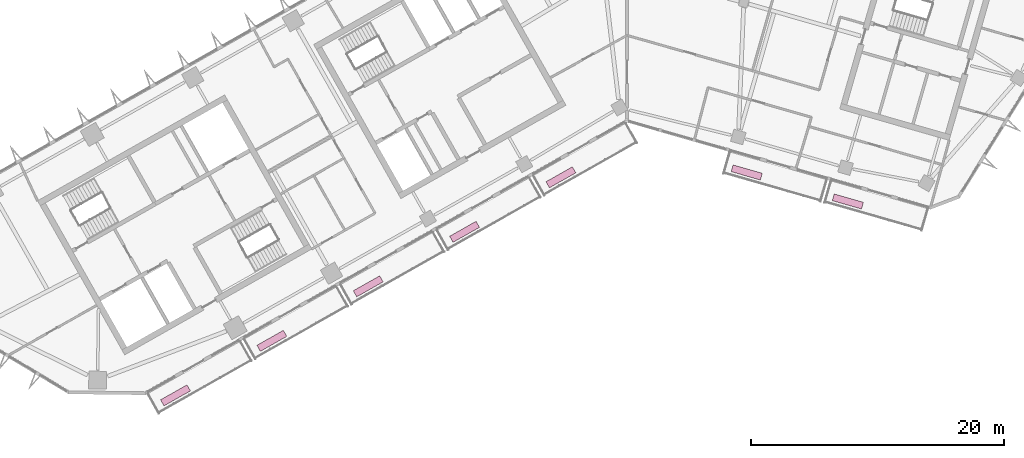
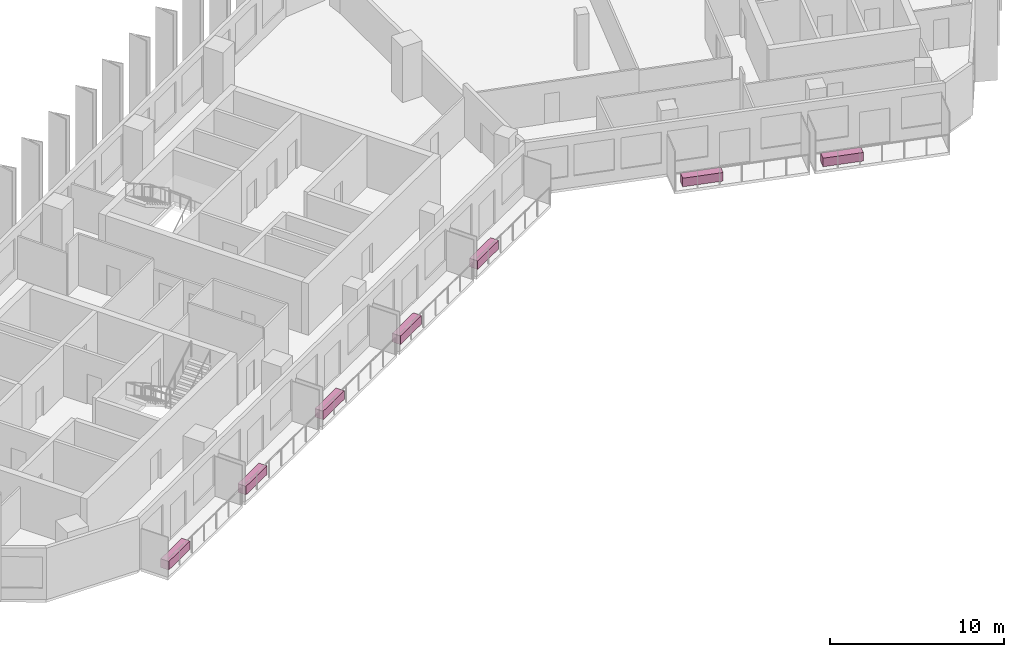
# One storey, part 11 of 11: 7 furnishings.
"""IFC4 building model written with IfcOpenShell, lengths in metres."""

from ifc_helpers import new_model, si_unit, direction, frame, origin, origin_2d, place, context, subcontext, project, spatial, rectangle, extrude, material, type_object, element, save


model = new_model("IFC4")

# Units and contexts
model_context = context("Model", 3, precision=1e-05, world=origin(), true_north=direction((0.0, 1.0)))
body_context = subcontext(model_context, "Body", "Model", "MODEL_VIEW")
ifc_project = project(units=[si_unit("LENGTHUNIT", "METRE"), si_unit("AREAUNIT", "SQUARE_METRE"), si_unit("VOLUMEUNIT", "CUBIC_METRE"), si_unit("PLANEANGLEUNIT", "RADIAN"), si_unit("MASSUNIT", "GRAM", prefix="KILO")], contexts=[model_context])

# Site, building, storey
site_placement = place(None, origin())
site = spatial("IfcSite", under=ifc_project, at=site_placement, CompositionType="ELEMENT")
building_placement = place(site_placement, origin())
building = spatial("IfcBuilding", under=site, at=building_placement, Name="Binnacle Exchange Tower", CompositionType="ELEMENT")
storey_placement = place(building_placement, frame((0.0, 0.0, 207.5)))
storey = spatial("IfcBuildingStorey", under=building, at=storey_placement, Name="L45", CompositionType="ELEMENT", Elevation=207.5)

# Furnishings
ifc_material = material(Name="Concrete C35/45", Category="concrete")
furnishing_element_type = type_object("IfcFurnishingElementType", Name="PLANTER 2400x550x600", material=ifc_material)
for number, where, z_axis, x_axis, name in (
    (1, (-35.698486328125, 26.2861328125, 0.0), (0.0, 0.0, 1.0), (0.87035569594, 0.492423560103, 0.0), "Planter G01-B00a L45"),
    (2, (-28.078857421875, 30.59716796875, 0.0), (0.0, 0.0, 1.0), (0.87035569594, 0.492423560103, 0.0), "Planter G01-B01a L45"),
    (3, (-20.459228515625, 34.908203125, 0.0), (0.0, 0.0, 1.0), (0.87035569594, 0.492423560103, 0.0), "Planter G01-B02a L45"),
    (4, (-12.839599609375, 39.218994140625, 0.0), (0.0, 0.0, 1.0), (0.87035569594, 0.492423560103, 0.0), "Planter G01-B03a L45"),
    (5, (-5.22021484375, 43.530029296875, 0.0), (0.0, 0.0, 1.0), (0.87035569594, 0.492423560103, 0.0), "Planter G01-B04a L45"),
    (6, (9.474609375, 43.909912109375, 0.0), (0.0, 0.0, 1.0), (0.961261695938, -0.275637355817, 0.0), "Planter G02-B01a L45"),
    (7, (17.47265625, 41.61669921875, 0.0), (0.0, 0.0, 1.0), (0.961261695938, -0.275637355817, 0.0), "Planter G02-B02a L45"),
):
    element("IfcFurnishingElement", number, at=place(storey_placement, frame(where, z_axis=z_axis, x_axis=x_axis)), inside=storey, type_object=furnishing_element_type, Name=name, ObjectType="PLANTER", context=body_context, shape_type="SweptSolid", body=[
        extrude(rectangle(XDim=2.39990234375, YDim=0.550048828125, at=origin_2d()), origin(), (0.0, 0.0, 1.0), 0.60009765625),
    ])

save(model, "model.ifc")
